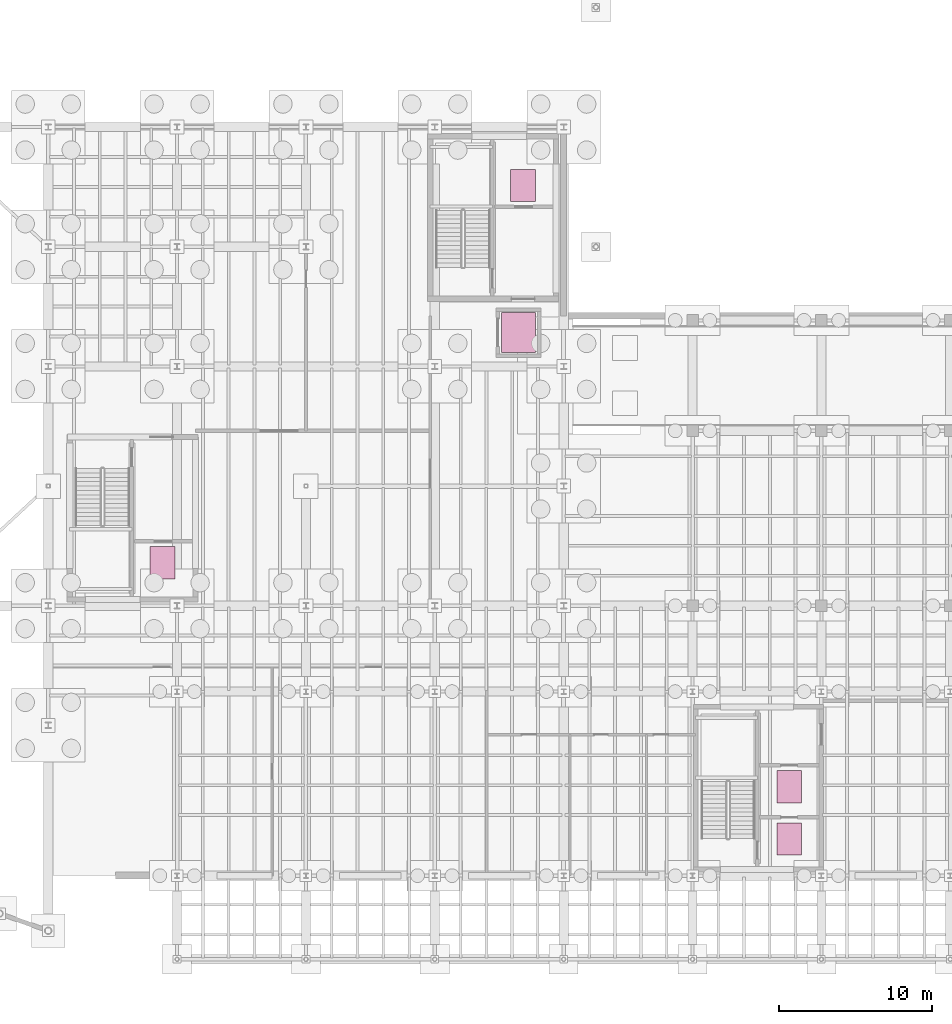
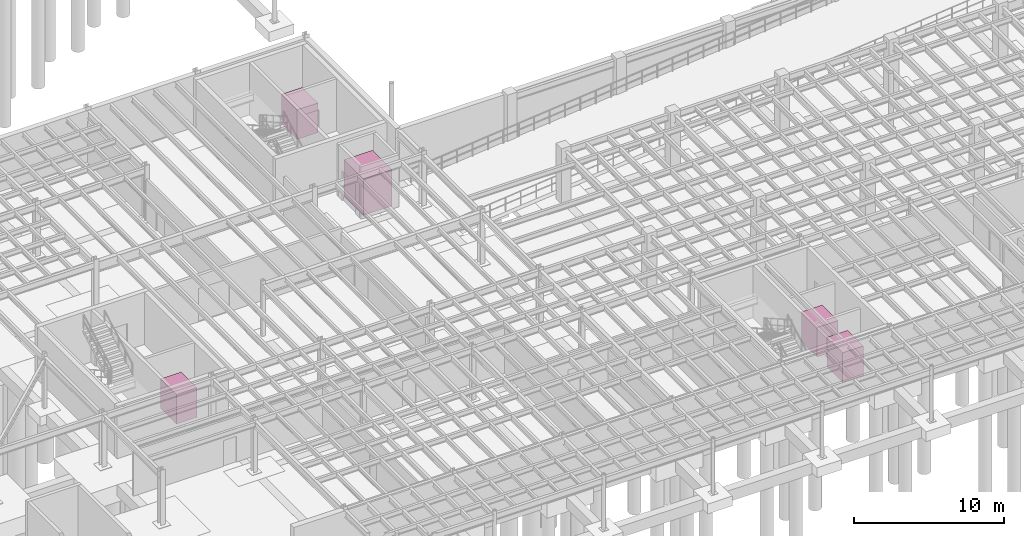
# One storey, part 41 of 41: 5 transport elements.
"""IFC4 building model written with IfcOpenShell, lengths in metres."""

import ifcopenshell
import ifcopenshell.guid

model = None  # the IFC model being written
_history = None  # IfcOwnerHistory: only IFC2X3 demands one
_inside = {}  # id of a spatial element -> (the spatial element, [elements in it])
_under = {}  # id of a project, library or spatial element -> (it, [spatial elements below it])
_declared = {}  # id of a project -> (the project, [libraries it declares])
_typed = {}  # id of a type object -> (the type object, [elements of that type])
_made_of = {}  # id of a material, layer set ... -> (it, [elements and type objects made of it])


def new_model(schema):
    """Start an empty IFC model of exactly this schema.

    Asked for "IFC4X3", IfcOpenShell would pick the latest addendum, in which some entities
    have other attributes; the version numbers below select the first issue.
    IFC2X3 requires an IfcOwnerHistory on every rooted entity: one is made here for all.
    """
    global model, _history
    if schema == "IFC4X3":
        model = ifcopenshell.file(schema_version=(4, 3, 0, 0))
    else:
        model = ifcopenshell.file(schema=schema)
    _inside.clear()
    _under.clear()
    _declared.clear()
    _typed.clear()
    _made_of.clear()
    _history = None
    if model.schema == "IFC2X3":
        org = make("IfcOrganization", Name="unknown")
        user = make(
            "IfcPersonAndOrganization",
            ThePerson=make("IfcPerson", FamilyName="unknown"),
            TheOrganization=org,
        )
        app = make(
            "IfcApplication",
            ApplicationDeveloper=org,
            Version="unknown",
            ApplicationFullName="unknown",
            ApplicationIdentifier="unknown",
        )
        _history = make(
            "IfcOwnerHistory",
            OwningUser=user,
            OwningApplication=app,
            ChangeAction="ADDED",
            CreationDate=0,
        )
    return model


def make(cls, **values):
    """One entity of the class cls with the attributes given. An attribute that is None is left unset."""
    return model.create_entity(
        cls, **{name: value for name, value in values.items() if value is not None}
    )


def rooted(cls, **values):
    """An entity with a GlobalId (a new one), such as an element, a storey or a relation."""
    return make(cls, GlobalId=ifcopenshell.guid.new(), OwnerHistory=_history, **values)


def si_unit(unit_type, name, prefix=None):
    """IfcSIUnit, for example si_unit("LENGTHUNIT", "METRE", prefix="MILLI")."""
    return make("IfcSIUnit", UnitType=unit_type, Prefix=prefix, Name=name)


def assignment(units):
    """IfcUnitAssignment: the units of a project."""
    return None if units is None else make("IfcUnitAssignment", Units=units)


def point(xyz):
    """IfcCartesianPoint."""
    return None if xyz is None else make("IfcCartesianPoint", Coordinates=xyz)


def direction(xyz):
    """IfcDirection."""
    return None if xyz is None else make("IfcDirection", DirectionRatios=xyz)


def frame(location, z_axis=None, x_axis=None):
    """IfcAxis2Placement3D, a coordinate frame: its origin and axes. An axis left out is left unset."""
    return make(
        "IfcAxis2Placement3D",
        Location=point(location),
        Axis=direction(z_axis),
        RefDirection=direction(x_axis),
    )


def frame_2d(location, x_axis=None):
    """IfcAxis2Placement2D, a coordinate frame in the plane: its origin and x axis."""
    return make(
        "IfcAxis2Placement2D", Location=point(location), RefDirection=direction(x_axis)
    )


def origin():
    """The frame at (0, 0, 0) with its axes left unset."""
    return frame((0.0, 0.0, 0.0))


def origin_2d():
    """The frame at (0, 0) in the plane with its x axis left unset."""
    return frame_2d((0.0, 0.0))


def place(relative_to, where):
    """IfcLocalPlacement: puts the frame where relative to a parent placement (None: the world)."""
    return make(
        "IfcLocalPlacement", PlacementRelTo=relative_to, RelativePlacement=where
    )


def context(
    kind, dimensions, precision=None, world=None, true_north=None, identifier=None
):
    """IfcGeometricRepresentationContext, for example the 3D "Model" context."""
    return make(
        "IfcGeometricRepresentationContext",
        ContextIdentifier=identifier,
        ContextType=kind,
        CoordinateSpaceDimension=dimensions,
        Precision=precision,
        WorldCoordinateSystem=world,
        TrueNorth=true_north,
    )


def subcontext(parent, identifier, kind, view, scale=None):
    """IfcGeometricRepresentationSubContext, for example "Body" below "Model"."""
    return make(
        "IfcGeometricRepresentationSubContext",
        ContextIdentifier=identifier,
        ContextType=kind,
        ParentContext=parent,
        TargetScale=scale,
        TargetView=view,
    )


def project(units=None, contexts=None):
    """IfcProject with its units and contexts."""
    return rooted(
        "IfcProject",
        Name="project",
        RepresentationContexts=contexts,
        UnitsInContext=assignment(units),
    )


def spatial(cls, under=None, at=None, **own):
    """A site, building, storey or space (cls), placed at a placement, below another one or the project."""
    s = rooted(cls, ObjectPlacement=at, **own)
    if under is not None:
        _under.setdefault(under.id(), (under, []))[1].append(s)
    return s


def profile(cls, at=None, kind="AREA", **sizes):
    """A parametric profile (cls). Its sizes go by their IFC names, for example OverallWidth=200.0."""
    return make(cls, ProfileType=kind, Position=at, **sizes)


def rectangle(**sizes):
    """IfcRectangleProfileDef."""
    return profile("IfcRectangleProfileDef", **sizes)


def extrude(swept, where, along, depth):
    """IfcExtrudedAreaSolid: the profile swept, set in the frame where, extruded along a direction by depth."""
    return make(
        "IfcExtrudedAreaSolid",
        SweptArea=swept,
        Position=where,
        ExtrudedDirection=direction(along),
        Depth=depth,
    )


def shape(context_of_items, identifier, shape_type, items):
    """IfcShapeRepresentation: the items that make up one representation, for example the "Body"."""
    return make(
        "IfcShapeRepresentation",
        ContextOfItems=context_of_items,
        RepresentationIdentifier=identifier,
        RepresentationType=shape_type,
        Items=items,
    )


def material(Name=None, Category=None):
    """IfcMaterial."""
    return make("IfcMaterial", Name=Name, Category=Category)


def made_of(thing, what):
    """Note that an element or type object is made of a material, layer set ...; save() writes the relation."""
    if what is not None:
        _made_of.setdefault(what.id(), (what, []))[1].append(thing)
    return thing


def type_object(cls, material=None, **own):
    """A type object (cls), such as IfcWallType, which elements share."""
    return made_of(rooted(cls, **own), material)


def element(
    cls,
    number,
    at=None,
    inside=None,
    cuts=None,
    type_object=None,
    material=None,
    context=None,
    identifier="Body",
    shape_type=None,
    held_by="IfcProductDefinitionShape",
    body=None,
    shapes=None,
    **own,
):
    """One element of the class cls, such as IfcWall. Its Tag is "e" and its number.

    at: its placement. inside: the storey or other place that contains it. cuts: it is an
    opening in that element (IfcRelVoidsElement). A single representation is given by context,
    identifier, shape_type and body (its items); several are given by shapes. held_by: the class
    of the entity that holds the representations. save() writes the other relations.
    """
    e = rooted(cls, Tag="e%d" % number, ObjectPlacement=at, **own)
    if body is not None:
        shapes = [shape(context, identifier, shape_type, body)]
    if shapes is not None:
        e.Representation = make(held_by, Representations=shapes)
    if inside is not None:
        _inside.setdefault(inside.id(), (inside, []))[1].append(e)
    if cuts is not None:
        rooted(
            "IfcRelVoidsElement", RelatingBuildingElement=cuts, RelatedOpeningElement=e
        )
    if type_object is not None:
        _typed.setdefault(type_object.id(), (type_object, []))[1].append(e)
    return made_of(e, material)


def aggregate(whole, parts):
    """IfcRelAggregates: a whole, such as a stair, and the parts it consists of."""
    return rooted("IfcRelAggregates", RelatingObject=whole, RelatedObjects=parts)


def save(model, path):
    """Write the relations noted so far, then the file.

    IfcRelAggregates (storeys below a building ...), IfcRelContainedInSpatialStructure (elements
    in a storey), IfcRelDefinesByType, IfcRelAssociatesMaterial and IfcRelDeclares: one each for
    every whole, place, type object, material and project.
    """
    for whole, parts in _under.values():
        aggregate(whole, parts)
    for where, things in _inside.values():
        rooted(
            "IfcRelContainedInSpatialStructure",
            RelatedElements=things,
            RelatingStructure=where,
        )
    for kind, things in _typed.values():
        rooted("IfcRelDefinesByType", RelatedObjects=things, RelatingType=kind)
    for what, things in _made_of.values():
        rooted("IfcRelAssociatesMaterial", RelatedObjects=things, RelatingMaterial=what)
    for by, libraries in _declared.values():
        rooted("IfcRelDeclares", RelatingContext=by, RelatedDefinitions=libraries)
    model.write(path)


model = new_model("IFC4")

# Units and contexts
model_context = context("Model", 3, precision=1e-05, world=origin(), true_north=direction((0.0, 1.0)))
body_context = subcontext(model_context, "Body", "Model", "MODEL_VIEW")
ifc_project = project(units=[si_unit("LENGTHUNIT", "METRE"), si_unit("AREAUNIT", "SQUARE_METRE"), si_unit("VOLUMEUNIT", "CUBIC_METRE"), si_unit("PLANEANGLEUNIT", "RADIAN"), si_unit("MASSUNIT", "GRAM", prefix="KILO")], contexts=[model_context])

# Site, building, storey
site_placement = place(None, origin())
site = spatial("IfcSite", under=ifc_project, at=site_placement, CompositionType="ELEMENT")
building_placement = place(site_placement, origin())
building = spatial("IfcBuilding", under=site, at=building_placement, Name="Selat Folded Stagehouse", CompositionType="ELEMENT")
storey_placement = place(building_placement, frame((0.0, 0.0, -4.5)))
storey = spatial("IfcBuildingStorey", under=building, at=storey_placement, Name="B1", CompositionType="ELEMENT", Elevation=-4.5)

# Transport elements
ifc_material_1 = material(Name="Stainless steel fire-rated lift car", Category="steel")
transport_element_type_1 = type_object("IfcTransportElementType", Name="LFT-FIRE-1600x2100", PredefinedType="ELEVATOR", material=ifc_material_1)
for number, where, z_axis, x_axis, name in (
    (1, (41.050048828125, 26.199951171875, 0.0), (0.0, 0.0, 1.0), (1.0, 0.0, 0.0), "Firefighting Lift FL-01"),
    (2, (64.550048828125, 50.800048828125, 0.0), (0.0, 0.0, 1.0), (1.0, 0.0, 0.0), "Firefighting Lift FL-02"),
):
    element("IfcTransportElement", number, at=place(storey_placement, frame(where, z_axis=z_axis, x_axis=x_axis)), inside=storey, type_object=transport_element_type_1, Name=name, PredefinedType="ELEVATOR", context=body_context, shape_type="SweptSolid", body=[
        extrude(rectangle(XDim=1.60009765625, YDim=2.10009765625, at=origin_2d()), origin(), (0.0, 0.0, 1.0), 2.39990234375),
    ])
ifc_material_2 = material(Name="Stainless and chequer-plate scenery lift car", Category="steel")
transport_element_type_2 = type_object("IfcTransportElementType", Name="LFT-GOODS-2200x2600", PredefinedType="ELEVATOR", material=ifc_material_2)
transport_element_placement = place(storey_placement, frame((64.25, 41.199951171875, 0.0), z_axis=(0.0, 0.0, 1.0), x_axis=(1.0, 0.0, 0.0)))
element("IfcTransportElement", 3, at=transport_element_placement, inside=storey, type_object=transport_element_type_2, Name="Backstage Scenery Goods Lift GL-01", PredefinedType="ELEVATOR", context=body_context, shape_type="SweptSolid", body=[
    extrude(rectangle(XDim=2.199951171875, YDim=2.60009765625, at=origin_2d()), origin(), (0.0, 0.0, 1.0), 2.949951171875),
])
ifc_material_3 = material(Name="Brushed bronze and stainless passenger car", Category="steel")
transport_element_type_3 = type_object("IfcTransportElementType", Name="LFT-PASS-1600x2100", PredefinedType="ELEVATOR", material=ifc_material_3)
for number, where, z_axis, x_axis, name in (
    (4, (81.89990234375, 8.199951171875, 0.0), (0.0, 0.0, 1.0), (1.0, 0.0, 0.0), "Foyer Passenger Lift PL-01"),
    (5, (81.89990234375, 11.60009765625, 0.0), (0.0, 0.0, 1.0), (1.0, 0.0, 0.0), "Foyer Passenger Lift PL-02"),
):
    element("IfcTransportElement", number, at=place(storey_placement, frame(where, z_axis=z_axis, x_axis=x_axis)), inside=storey, type_object=transport_element_type_3, Name=name, PredefinedType="ELEVATOR", context=body_context, shape_type="SweptSolid", body=[
        extrude(rectangle(XDim=1.60009765625, YDim=2.10009765625, at=origin_2d()), origin(), (0.0, 0.0, 1.0), 2.39990234375),
    ])

save(model, "model.ifc")
